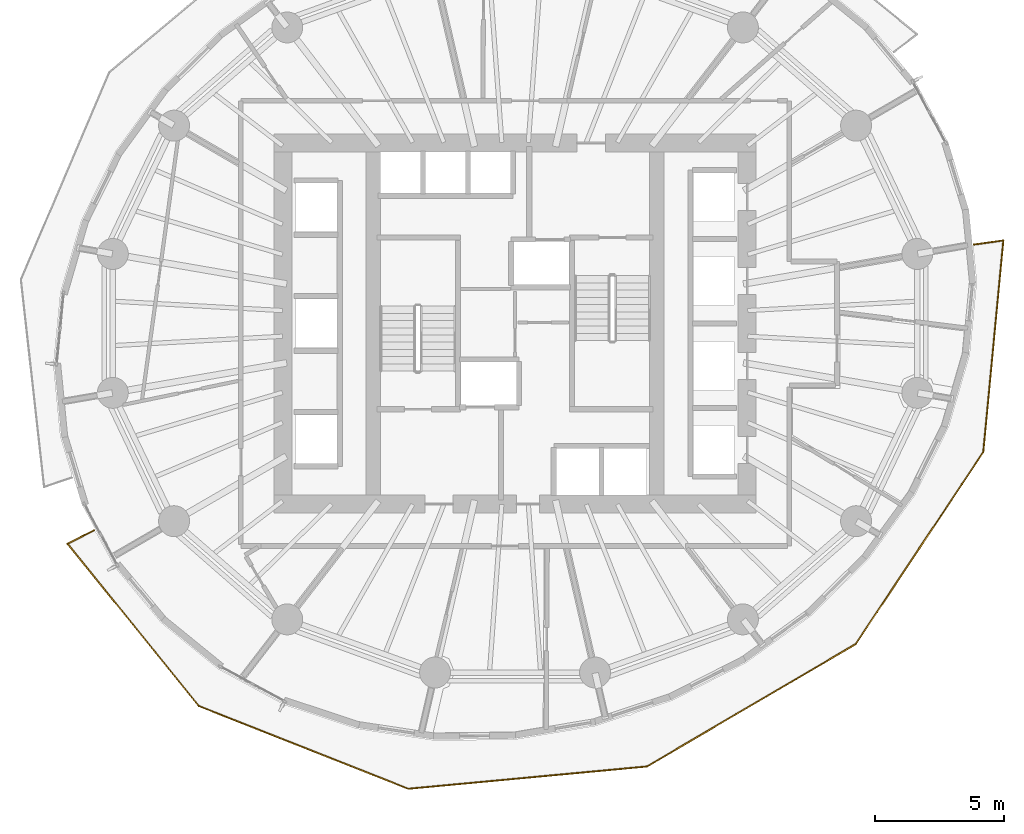
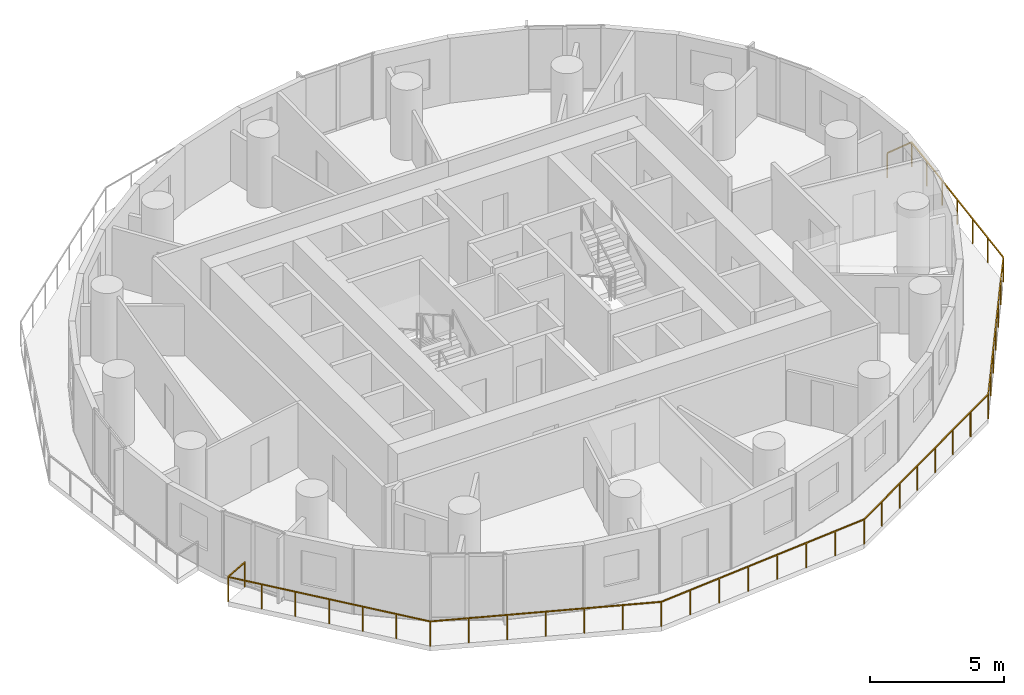
# One storey, part 12 of 14: 1 railing.
"""IFC4 building model written with IfcOpenShell, lengths in metres."""

from ifc_helpers import new_model, si_unit, direction, frame, origin, origin_2d, place, context, subcontext, project, spatial, rectangle, extrude, material, type_object, element, save


model = new_model("IFC4")

# Units and contexts
model_context = context("Model", 3, precision=1e-05, world=origin(), true_north=direction((0.0, 1.0)))
body_context = subcontext(model_context, "Body", "Model", "MODEL_VIEW")
ifc_project = project(units=[si_unit("LENGTHUNIT", "METRE"), si_unit("AREAUNIT", "SQUARE_METRE"), si_unit("VOLUMEUNIT", "CUBIC_METRE"), si_unit("PLANEANGLEUNIT", "RADIAN"), si_unit("MASSUNIT", "GRAM", prefix="KILO")], contexts=[model_context])

# Site, building, storey
site_placement = place(None, origin())
site = spatial("IfcSite", under=ifc_project, at=site_placement, CompositionType="ELEMENT")
building_placement = place(site_placement, origin())
building = spatial("IfcBuilding", under=site, at=building_placement, Name="Veldorim Arch Residences", CompositionType="ELEMENT")
storey_placement = place(building_placement, frame((0.0, 0.0, 93.280029296875)))
storey = spatial("IfcBuildingStorey", under=building, at=storey_placement, Name="L27", CompositionType="ELEMENT", Elevation=93.280029296875)

# Railing
ifc_material = material(Name="Aluminium", Category="aluminium")
railing_type = type_object("IfcRailingType", Name="Balcony & Terrace Laminated Glass Balustrade 1150", PredefinedType="BALUSTRADE", material=ifc_material)
railing_placement = place(storey_placement, frame((15.676025390625, 15.97705078125, 0.0)))
element("IfcRailing", 1, at=railing_placement, inside=storey, type_object=railing_type, Name="L27 crescent balcony safety balustrade B", PredefinedType="BALUSTRADE", context=body_context, shape_type="SweptSolid", body=[
    extrude(rectangle(XDim=0.048095703125, YDim=0.048095703125, at=origin_2d()), frame((0.0, 0.0, 1.1259765625), z_axis=(-0.893320552838, -0.449420059496, 0.0), x_axis=(0.449420059496, -0.893320552838, 0.0)), (0.0, 0.0, 1.0), 1.150146484375),
    extrude(rectangle(XDim=0.048095703125, YDim=0.048095703125, at=origin_2d()), frame((-1.02734375, -0.516845703125, 1.1259765625), z_axis=(0.628844035454, -0.777531465006, 0.0), x_axis=(0.777531465006, 0.628844035454, 0.0)), (0.0, 0.0, 1.0), 8.091552734375),
    extrude(rectangle(XDim=0.048095703125, YDim=0.048095703125, at=origin_2d()), frame((4.06103515625, -6.808349609375, 1.1259765625), z_axis=(0.929921370149, -0.367758406214, 0.0), x_axis=(0.367758406214, 0.929921370149, 0.0)), (0.0, 0.0, 1.0), 8.733154296875),
    extrude(rectangle(XDim=0.048095703125, YDim=0.048095703125, at=origin_2d()), frame((12.18212890625, -10.02001953125, 1.1259765625), z_axis=(0.995663778337, 0.093024945622, 0.0), x_axis=(-0.093024945622, 0.995663778337, 0.0)), (0.0, 0.0, 1.0), 9.293212890625),
    extrude(rectangle(XDim=0.048095703125, YDim=0.048095703125, at=origin_2d()), frame((21.43505859375, -9.155517578125, 1.1259765625), z_axis=(0.862618902727, 0.505854355183, 0.0), x_axis=(-0.505854355183, 0.862618902727, 0.0)), (0.0, 0.0, 1.0), 9.384765625),
    extrude(rectangle(XDim=0.048095703125, YDim=0.048095703125, at=origin_2d()), frame((29.530517578125, -4.408203125, 1.1259765625), z_axis=(0.553337928874, 0.832956863511, 0.0), x_axis=(-0.832956863511, 0.553337928874, 0.0)), (0.0, 0.0, 1.0), 8.938232421875),
    extrude(rectangle(XDim=0.048095703125, YDim=0.048095703125, at=origin_2d()), frame((34.476318359375, 3.036865234375, 1.1259765625), z_axis=(0.094523829263, 0.995522599292, 0.0), x_axis=(-0.995522599292, 0.094523829263, 0.0)), (0.0, 0.0, 1.0), 8.2392578125),
    extrude(rectangle(XDim=0.048095703125, YDim=0.048095703125, at=origin_2d()), frame((35.255126953125, 11.2392578125, 1.1259765625), z_axis=(-0.990580459083, -0.136931932299, 0.0), x_axis=(0.136931932299, -0.990580459083, 0.0)), (0.0, 0.0, 1.0), 1.14990234375),
    extrude(rectangle(XDim=0.0419921875, YDim=0.0419921875, at=origin_2d()), origin(), (0.0, 0.0, 1.0), 1.101806640625),
    extrude(rectangle(XDim=0.0419921875, YDim=0.0419921875, at=origin_2d()), frame((-1.02734375, -0.516845703125, 0.0)), (0.0, 0.0, 1.0), 1.101806640625),
    extrude(rectangle(XDim=0.0419921875, YDim=0.0419921875, at=origin_2d()), frame((-0.17919921875, -1.5654296875, 0.0)), (0.0, 0.0, 1.0), 1.101806640625),
    extrude(rectangle(XDim=0.0419921875, YDim=0.0419921875, at=origin_2d()), frame((0.668701171875, -2.614013671875, 0.0)), (0.0, 0.0, 1.0), 1.101806640625),
    extrude(rectangle(XDim=0.0419921875, YDim=0.0419921875, at=origin_2d()), frame((1.516845703125, -3.66259765625, 0.0)), (0.0, 0.0, 1.0), 1.101806640625),
    extrude(rectangle(XDim=0.0419921875, YDim=0.0419921875, at=origin_2d()), frame((2.364990234375, -4.711181640625, 0.0)), (0.0, 0.0, 1.0), 1.101806640625),
    extrude(rectangle(XDim=0.0419921875, YDim=0.0419921875, at=origin_2d()), frame((3.212890625, -5.759765625, 0.0)), (0.0, 0.0, 1.0), 1.101806640625),
    extrude(rectangle(XDim=0.0419921875, YDim=0.0419921875, at=origin_2d()), frame((4.06103515625, -6.808349609375, 0.0)), (0.0, 0.0, 1.0), 1.101806640625),
    extrude(rectangle(XDim=0.0419921875, YDim=0.0419921875, at=origin_2d()), frame((5.41455078125, -7.34375, 0.0)), (0.0, 0.0, 1.0), 1.101806640625),
    extrude(rectangle(XDim=0.0419921875, YDim=0.0419921875, at=origin_2d()), frame((6.76806640625, -7.87890625, 0.0)), (0.0, 0.0, 1.0), 1.101806640625),
    extrude(rectangle(XDim=0.0419921875, YDim=0.0419921875, at=origin_2d()), frame((8.12158203125, -8.4140625, 0.0)), (0.0, 0.0, 1.0), 1.101806640625),
    extrude(rectangle(XDim=0.0419921875, YDim=0.0419921875, at=origin_2d()), frame((9.47509765625, -8.949462890625, 0.0)), (0.0, 0.0, 1.0), 1.101806640625),
    extrude(rectangle(XDim=0.0419921875, YDim=0.0419921875, at=origin_2d()), frame((10.82861328125, -9.48486328125, 0.0)), (0.0, 0.0, 1.0), 1.101806640625),
    extrude(rectangle(XDim=0.0419921875, YDim=0.0419921875, at=origin_2d()), frame((12.18212890625, -10.02001953125, 0.0)), (0.0, 0.0, 1.0), 1.101806640625),
    extrude(rectangle(XDim=0.0419921875, YDim=0.0419921875, at=origin_2d()), frame((13.50390625, -9.896484375, 0.0)), (0.0, 0.0, 1.0), 1.101806640625),
    extrude(rectangle(XDim=0.0419921875, YDim=0.0419921875, at=origin_2d()), frame((14.825927734375, -9.77294921875, 0.0)), (0.0, 0.0, 1.0), 1.101806640625),
    extrude(rectangle(XDim=0.0419921875, YDim=0.0419921875, at=origin_2d()), frame((16.147705078125, -9.6494140625, 0.0)), (0.0, 0.0, 1.0), 1.101806640625),
    extrude(rectangle(XDim=0.0419921875, YDim=0.0419921875, at=origin_2d()), frame((17.469482421875, -9.526123046875, 0.0)), (0.0, 0.0, 1.0), 1.101806640625),
    extrude(rectangle(XDim=0.0419921875, YDim=0.0419921875, at=origin_2d()), frame((18.791259765625, -9.402587890625, 0.0)), (0.0, 0.0, 1.0), 1.101806640625),
    extrude(rectangle(XDim=0.0419921875, YDim=0.0419921875, at=origin_2d()), frame((20.11328125, -9.279052734375, 0.0)), (0.0, 0.0, 1.0), 1.101806640625),
    extrude(rectangle(XDim=0.0419921875, YDim=0.0419921875, at=origin_2d()), frame((21.43505859375, -9.155517578125, 0.0)), (0.0, 0.0, 1.0), 1.101806640625),
    extrude(rectangle(XDim=0.0419921875, YDim=0.0419921875, at=origin_2d()), frame((22.591552734375, -8.477294921875, 0.0)), (0.0, 0.0, 1.0), 1.101806640625),
    extrude(rectangle(XDim=0.0419921875, YDim=0.0419921875, at=origin_2d()), frame((23.748046875, -7.799072265625, 0.0)), (0.0, 0.0, 1.0), 1.101806640625),
    extrude(rectangle(XDim=0.0419921875, YDim=0.0419921875, at=origin_2d()), frame((24.904541015625, -7.120849609375, 0.0)), (0.0, 0.0, 1.0), 1.101806640625),
    extrude(rectangle(XDim=0.0419921875, YDim=0.0419921875, at=origin_2d()), frame((26.06103515625, -6.44287109375, 0.0)), (0.0, 0.0, 1.0), 1.101806640625),
    extrude(rectangle(XDim=0.0419921875, YDim=0.0419921875, at=origin_2d()), frame((27.217529296875, -5.7646484375, 0.0)), (0.0, 0.0, 1.0), 1.101806640625),
    extrude(rectangle(XDim=0.0419921875, YDim=0.0419921875, at=origin_2d()), frame((28.3740234375, -5.08642578125, 0.0)), (0.0, 0.0, 1.0), 1.101806640625),
    extrude(rectangle(XDim=0.0419921875, YDim=0.0419921875, at=origin_2d()), frame((29.530517578125, -4.408203125, 0.0)), (0.0, 0.0, 1.0), 1.101806640625),
    extrude(rectangle(XDim=0.0419921875, YDim=0.0419921875, at=origin_2d()), frame((30.354736328125, -3.16748046875, 0.0)), (0.0, 0.0, 1.0), 1.101806640625),
    extrude(rectangle(XDim=0.0419921875, YDim=0.0419921875, at=origin_2d()), frame((31.17919921875, -1.926513671875, 0.0)), (0.0, 0.0, 1.0), 1.101806640625),
    extrude(rectangle(XDim=0.0419921875, YDim=0.0419921875, at=origin_2d()), frame((32.00341796875, -0.685546875, 0.0)), (0.0, 0.0, 1.0), 1.101806640625),
    extrude(rectangle(XDim=0.0419921875, YDim=0.0419921875, at=origin_2d()), frame((32.82763671875, 0.55517578125, 0.0)), (0.0, 0.0, 1.0), 1.101806640625),
    extrude(rectangle(XDim=0.0419921875, YDim=0.0419921875, at=origin_2d()), frame((33.652099609375, 1.7958984375, 0.0)), (0.0, 0.0, 1.0), 1.101806640625),
    extrude(rectangle(XDim=0.0419921875, YDim=0.0419921875, at=origin_2d()), frame((34.476318359375, 3.036865234375, 0.0)), (0.0, 0.0, 1.0), 1.101806640625),
    extrude(rectangle(XDim=0.0419921875, YDim=0.0419921875, at=origin_2d()), frame((34.606201171875, 4.40380859375, 0.0)), (0.0, 0.0, 1.0), 1.101806640625),
    extrude(rectangle(XDim=0.0419921875, YDim=0.0419921875, at=origin_2d()), frame((34.73583984375, 5.77099609375, 0.0)), (0.0, 0.0, 1.0), 1.101806640625),
    extrude(rectangle(XDim=0.0419921875, YDim=0.0419921875, at=origin_2d()), frame((34.86572265625, 7.13818359375, 0.0)), (0.0, 0.0, 1.0), 1.101806640625),
    extrude(rectangle(XDim=0.0419921875, YDim=0.0419921875, at=origin_2d()), frame((34.99560546875, 8.505126953125, 0.0)), (0.0, 0.0, 1.0), 1.101806640625),
    extrude(rectangle(XDim=0.0419921875, YDim=0.0419921875, at=origin_2d()), frame((35.125244140625, 9.8720703125, 0.0)), (0.0, 0.0, 1.0), 1.101806640625),
    extrude(rectangle(XDim=0.0419921875, YDim=0.0419921875, at=origin_2d()), frame((35.255126953125, 11.2392578125, 0.0)), (0.0, 0.0, 1.0), 1.101806640625),
    extrude(rectangle(XDim=0.0419921875, YDim=0.0419921875, at=origin_2d()), frame((34.115966796875, 11.081787109375, 0.0)), (0.0, 0.0, 1.0), 1.101806640625),
])

save(model, "model.ifc")
